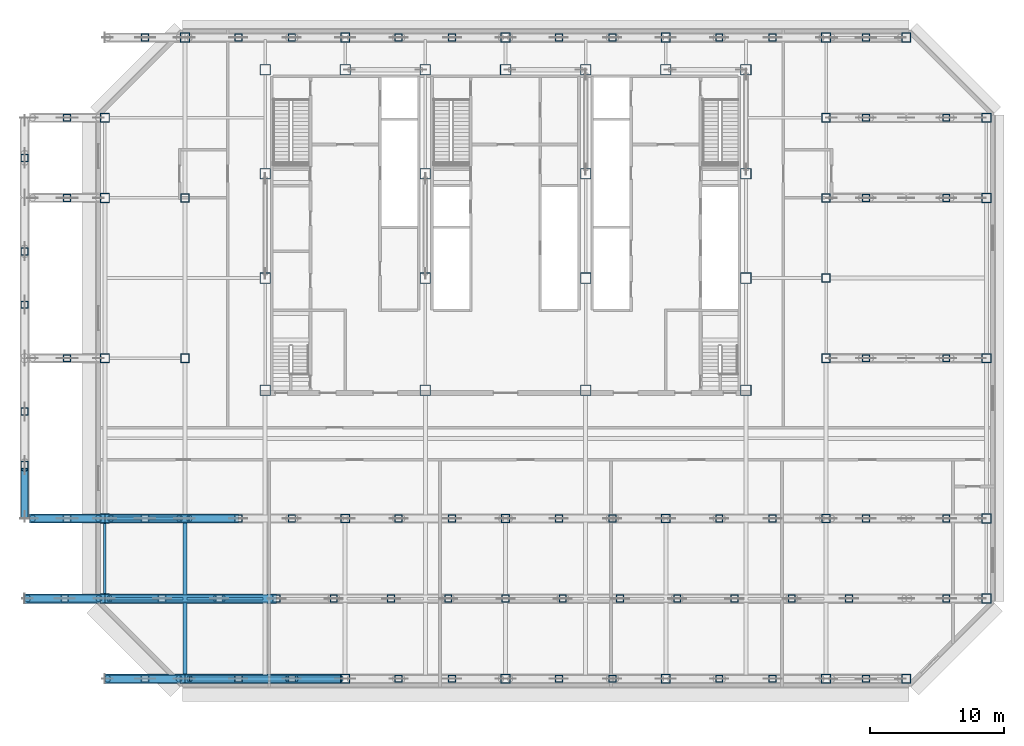
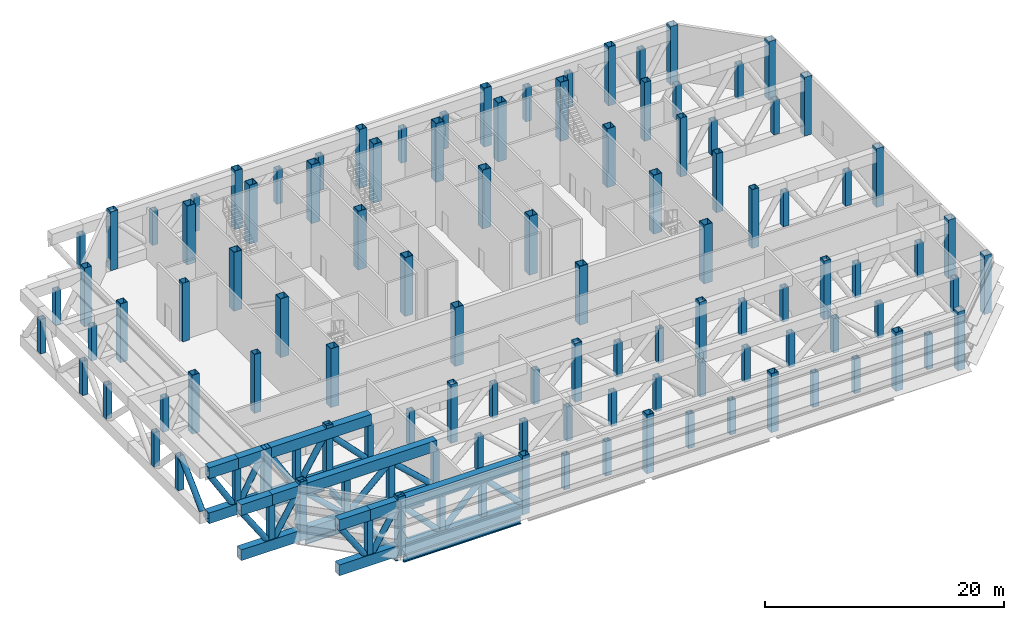
# One storey, part 1 of 17: 113 columns, 21 beams, 16 members.
"""IFC4 building model written with IfcOpenShell, lengths in metres."""

import ifcopenshell
import ifcopenshell.guid

model = None  # the IFC model being written
_history = None  # IfcOwnerHistory: only IFC2X3 demands one
_inside = {}  # id of a spatial element -> (the spatial element, [elements in it])
_under = {}  # id of a project, library or spatial element -> (it, [spatial elements below it])
_declared = {}  # id of a project -> (the project, [libraries it declares])
_typed = {}  # id of a type object -> (the type object, [elements of that type])
_made_of = {}  # id of a material, layer set ... -> (it, [elements and type objects made of it])


def new_model(schema):
    """Start an empty IFC model of exactly this schema.

    Asked for "IFC4X3", IfcOpenShell would pick the latest addendum, in which some entities
    have other attributes; the version numbers below select the first issue.
    IFC2X3 requires an IfcOwnerHistory on every rooted entity: one is made here for all.
    """
    global model, _history
    if schema == "IFC4X3":
        model = ifcopenshell.file(schema_version=(4, 3, 0, 0))
    else:
        model = ifcopenshell.file(schema=schema)
    _inside.clear()
    _under.clear()
    _declared.clear()
    _typed.clear()
    _made_of.clear()
    _history = None
    if model.schema == "IFC2X3":
        org = make("IfcOrganization", Name="unknown")
        user = make(
            "IfcPersonAndOrganization",
            ThePerson=make("IfcPerson", FamilyName="unknown"),
            TheOrganization=org,
        )
        app = make(
            "IfcApplication",
            ApplicationDeveloper=org,
            Version="unknown",
            ApplicationFullName="unknown",
            ApplicationIdentifier="unknown",
        )
        _history = make(
            "IfcOwnerHistory",
            OwningUser=user,
            OwningApplication=app,
            ChangeAction="ADDED",
            CreationDate=0,
        )
    return model


def make(cls, **values):
    """One entity of the class cls with the attributes given. An attribute that is None is left unset."""
    return model.create_entity(
        cls, **{name: value for name, value in values.items() if value is not None}
    )


def rooted(cls, **values):
    """An entity with a GlobalId (a new one), such as an element, a storey or a relation."""
    return make(cls, GlobalId=ifcopenshell.guid.new(), OwnerHistory=_history, **values)


def si_unit(unit_type, name, prefix=None):
    """IfcSIUnit, for example si_unit("LENGTHUNIT", "METRE", prefix="MILLI")."""
    return make("IfcSIUnit", UnitType=unit_type, Prefix=prefix, Name=name)


def assignment(units):
    """IfcUnitAssignment: the units of a project."""
    return None if units is None else make("IfcUnitAssignment", Units=units)


def point(xyz):
    """IfcCartesianPoint."""
    return None if xyz is None else make("IfcCartesianPoint", Coordinates=xyz)


def direction(xyz):
    """IfcDirection."""
    return None if xyz is None else make("IfcDirection", DirectionRatios=xyz)


def frame(location, z_axis=None, x_axis=None):
    """IfcAxis2Placement3D, a coordinate frame: its origin and axes. An axis left out is left unset."""
    return make(
        "IfcAxis2Placement3D",
        Location=point(location),
        Axis=direction(z_axis),
        RefDirection=direction(x_axis),
    )


def frame_2d(location, x_axis=None):
    """IfcAxis2Placement2D, a coordinate frame in the plane: its origin and x axis."""
    return make(
        "IfcAxis2Placement2D", Location=point(location), RefDirection=direction(x_axis)
    )


def origin():
    """The frame at (0, 0, 0) with its axes left unset."""
    return frame((0.0, 0.0, 0.0))


def origin_2d():
    """The frame at (0, 0) in the plane with its x axis left unset."""
    return frame_2d((0.0, 0.0))


def place(relative_to, where):
    """IfcLocalPlacement: puts the frame where relative to a parent placement (None: the world)."""
    return make(
        "IfcLocalPlacement", PlacementRelTo=relative_to, RelativePlacement=where
    )


def context(
    kind, dimensions, precision=None, world=None, true_north=None, identifier=None
):
    """IfcGeometricRepresentationContext, for example the 3D "Model" context."""
    return make(
        "IfcGeometricRepresentationContext",
        ContextIdentifier=identifier,
        ContextType=kind,
        CoordinateSpaceDimension=dimensions,
        Precision=precision,
        WorldCoordinateSystem=world,
        TrueNorth=true_north,
    )


def subcontext(parent, identifier, kind, view, scale=None):
    """IfcGeometricRepresentationSubContext, for example "Body" below "Model"."""
    return make(
        "IfcGeometricRepresentationSubContext",
        ContextIdentifier=identifier,
        ContextType=kind,
        ParentContext=parent,
        TargetScale=scale,
        TargetView=view,
    )


def project(units=None, contexts=None):
    """IfcProject with its units and contexts."""
    return rooted(
        "IfcProject",
        Name="project",
        RepresentationContexts=contexts,
        UnitsInContext=assignment(units),
    )


def spatial(cls, under=None, at=None, **own):
    """A site, building, storey or space (cls), placed at a placement, below another one or the project."""
    s = rooted(cls, ObjectPlacement=at, **own)
    if under is not None:
        _under.setdefault(under.id(), (under, []))[1].append(s)
    return s


def profile(cls, at=None, kind="AREA", **sizes):
    """A parametric profile (cls). Its sizes go by their IFC names, for example OverallWidth=200.0."""
    return make(cls, ProfileType=kind, Position=at, **sizes)


def hollow_rectangle(**sizes):
    """IfcRectangleHollowProfileDef."""
    return profile("IfcRectangleHollowProfileDef", **sizes)


def hollow_circle(**sizes):
    """IfcCircleHollowProfileDef."""
    return profile("IfcCircleHollowProfileDef", **sizes)


def i_section(**sizes):
    """IfcIShapeProfileDef."""
    return profile("IfcIShapeProfileDef", **sizes)


def extrude(swept, where, along, depth):
    """IfcExtrudedAreaSolid: the profile swept, set in the frame where, extruded along a direction by depth."""
    return make(
        "IfcExtrudedAreaSolid",
        SweptArea=swept,
        Position=where,
        ExtrudedDirection=direction(along),
        Depth=depth,
    )


def shape(context_of_items, identifier, shape_type, items):
    """IfcShapeRepresentation: the items that make up one representation, for example the "Body"."""
    return make(
        "IfcShapeRepresentation",
        ContextOfItems=context_of_items,
        RepresentationIdentifier=identifier,
        RepresentationType=shape_type,
        Items=items,
    )


def material(Name=None, Category=None):
    """IfcMaterial."""
    return make("IfcMaterial", Name=Name, Category=Category)


def material_profile(
    of_material, cross_section, Name=None, Category=None, Priority=None
):
    """IfcMaterialProfile: a cross section and its material."""
    return make(
        "IfcMaterialProfile",
        Name=Name,
        Material=of_material,
        Profile=cross_section,
        Priority=Priority,
        Category=Category,
    )


def profile_set(profiles, Name=None, composite=None):
    """IfcMaterialProfileSet."""
    return make(
        "IfcMaterialProfileSet",
        Name=Name,
        MaterialProfiles=profiles,
        CompositeProfile=composite,
    )


def made_of(thing, what):
    """Note that an element or type object is made of a material, layer set ...; save() writes the relation."""
    if what is not None:
        _made_of.setdefault(what.id(), (what, []))[1].append(thing)
    return thing


def type_object(cls, material=None, **own):
    """A type object (cls), such as IfcWallType, which elements share."""
    return made_of(rooted(cls, **own), material)


def element(
    cls,
    number,
    at=None,
    inside=None,
    cuts=None,
    type_object=None,
    material=None,
    context=None,
    identifier="Body",
    shape_type=None,
    held_by="IfcProductDefinitionShape",
    body=None,
    shapes=None,
    **own,
):
    """One element of the class cls, such as IfcWall. Its Tag is "e" and its number.

    at: its placement. inside: the storey or other place that contains it. cuts: it is an
    opening in that element (IfcRelVoidsElement). A single representation is given by context,
    identifier, shape_type and body (its items); several are given by shapes. held_by: the class
    of the entity that holds the representations. save() writes the other relations.
    """
    e = rooted(cls, Tag="e%d" % number, ObjectPlacement=at, **own)
    if body is not None:
        shapes = [shape(context, identifier, shape_type, body)]
    if shapes is not None:
        e.Representation = make(held_by, Representations=shapes)
    if inside is not None:
        _inside.setdefault(inside.id(), (inside, []))[1].append(e)
    if cuts is not None:
        rooted(
            "IfcRelVoidsElement", RelatingBuildingElement=cuts, RelatedOpeningElement=e
        )
    if type_object is not None:
        _typed.setdefault(type_object.id(), (type_object, []))[1].append(e)
    return made_of(e, material)


def aggregate(whole, parts):
    """IfcRelAggregates: a whole, such as a stair, and the parts it consists of."""
    return rooted("IfcRelAggregates", RelatingObject=whole, RelatedObjects=parts)


def save(model, path):
    """Write the relations noted so far, then the file.

    IfcRelAggregates (storeys below a building ...), IfcRelContainedInSpatialStructure (elements
    in a storey), IfcRelDefinesByType, IfcRelAssociatesMaterial and IfcRelDeclares: one each for
    every whole, place, type object, material and project.
    """
    for whole, parts in _under.values():
        aggregate(whole, parts)
    for where, things in _inside.values():
        rooted(
            "IfcRelContainedInSpatialStructure",
            RelatedElements=things,
            RelatingStructure=where,
        )
    for kind, things in _typed.values():
        rooted("IfcRelDefinesByType", RelatedObjects=things, RelatingType=kind)
    for what, things in _made_of.values():
        rooted("IfcRelAssociatesMaterial", RelatedObjects=things, RelatingMaterial=what)
    for by, libraries in _declared.values():
        rooted("IfcRelDeclares", RelatingContext=by, RelatedDefinitions=libraries)
    model.write(path)


model = new_model("IFC4")

# Units and contexts
model_context = context("Model", 3, precision=1e-05, world=origin(), true_north=direction((0.0, 1.0)))
body_context = subcontext(model_context, "Body", "Model", "MODEL_VIEW")
ifc_project = project(units=[si_unit("LENGTHUNIT", "METRE"), si_unit("AREAUNIT", "SQUARE_METRE"), si_unit("VOLUMEUNIT", "CUBIC_METRE"), si_unit("PLANEANGLEUNIT", "RADIAN"), si_unit("MASSUNIT", "GRAM", prefix="KILO")], contexts=[model_context])

# Site, building, storey
site_placement = place(None, origin())
site = spatial("IfcSite", under=ifc_project, at=site_placement, CompositionType="ELEMENT")
building_placement = place(site_placement, origin())
building = spatial("IfcBuilding", under=site, at=building_placement, Name="Sorahane Residences", CompositionType="ELEMENT")
storey_placement = place(building_placement, frame((0.0, 0.0, 186.0)))
storey = spatial("IfcBuildingStorey", under=building, at=storey_placement, Name="L43", CompositionType="ELEMENT", Elevation=186.0)

# Columns
ifc_material_1 = material(Name="Steel Q355B", Category="steel")
ifc_material_profile_1 = material_profile(ifc_material_1, hollow_rectangle(XDim=0.64990234375, YDim=0.64990234375, WallThickness=0.031982421875, at=origin_2d()), Name="BOX 650x650x32")
ifc_profile_set_1 = profile_set([ifc_material_profile_1], Name="Steel Q355B")
column_type_1 = type_object("IfcColumnType", Name="Steel box column BOX 650x650x32 Q355B", PredefinedType="COLUMN", material=ifc_profile_set_1)
for number, where, z_axis, x_axis, name in (
    (1, (0.0, 12.0, 0.0), (0.0, 0.0, 1.0), (1.0, 0.0, 0.0), "Column L43 0/12"),
    (2, (0.0, 24.0, 0.0), (0.0, 0.0, 1.0), (1.0, 0.0, 0.0), "Column L43 0/24"),
    (3, (0.0, 36.0, 0.0), (0.0, 0.0, 1.0), (1.0, 0.0, 0.0), "Column L43 0/36"),
    (4, (12.0, 12.0, 0.0), (0.0, 0.0, 1.0), (1.0, 0.0, 0.0), "Column L43 12/12"),
    (5, (24.0, 12.0, 0.0), (0.0, 0.0, 1.0), (1.0, 0.0, 0.0), "Column L43 24/12"),
    (6, (36.0, 12.0, 0.0), (0.0, 0.0, 1.0), (1.0, 0.0, 0.0), "Column L43 36/12"),
    (7, (48.0, 12.0, 0.0), (0.0, 0.0, 1.0), (1.0, 0.0, 0.0), "Column L43 48/12"),
    (8, (48.0, 24.0, 0.0), (0.0, 0.0, 1.0), (1.0, 0.0, 0.0), "Column L43 48/24"),
    (9, (48.0, 30.0, 0.0), (0.0, 0.0, 1.0), (1.0, 0.0, 0.0), "Column L43 48/30"),
    (10, (48.0, 36.0, 0.0), (0.0, 0.0, 1.0), (1.0, 0.0, 0.0), "Column L43 48/36"),
    (11, (48.0, 42.0, 0.0), (0.0, 0.0, 1.0), (1.0, 0.0, 0.0), "Column L43 48/42"),
):
    element("IfcColumn", number, at=place(storey_placement, frame(where, z_axis=z_axis, x_axis=x_axis)), inside=storey, type_object=column_type_1, Name=name, PredefinedType="COLUMN", context=body_context, shape_type="SweptSolid", body=[
        extrude(hollow_rectangle(XDim=0.64990234375, YDim=0.64990234375, WallThickness=0.031982421875, at=origin_2d()), origin(), (0.0, 0.0, 1.0), 6.0),
    ])
ifc_material_2 = material(Name="Steel Q355B", Category="steel")
ifc_material_profile_2 = material_profile(ifc_material_2, hollow_rectangle(XDim=0.699951171875, YDim=0.699951171875, WallThickness=0.035888671875, at=origin_2d()), Name="BOX 700x700x36")
ifc_profile_set_2 = profile_set([ifc_material_profile_2], Name="Steel Q355B")
column_type_2 = type_object("IfcColumnType", Name="Steel box column BOX 700x700x36 Q355B", PredefinedType="COLUMN", material=ifc_profile_set_2)
column_1_placement = place(storey_placement, frame((-6.0, 6.0, 0.0), z_axis=(0.0, 0.0, 1.0), x_axis=(1.0, 0.0, 0.0)))
element("IfcColumn", 12, at=column_1_placement, inside=storey, type_object=column_type_2, Name="Column L43 m6/6", PredefinedType="COLUMN", context=body_context, shape_type="SweptSolid", body=[
    extrude(hollow_rectangle(XDim=0.699951171875, YDim=0.699951171875, WallThickness=0.035888671875, at=origin_2d()), origin(), (0.0, 0.0, 1.0), 6.0),
])
column_2_placement = place(storey_placement, frame((-6.0, 12.0, 0.0), z_axis=(0.0, 0.0, 1.0), x_axis=(1.0, 0.0, 0.0)))
element("IfcColumn", 13, at=column_2_placement, inside=storey, type_object=column_type_2, Name="Column L43 m6/12", PredefinedType="COLUMN", context=body_context, shape_type="SweptSolid", body=[
    extrude(hollow_rectangle(XDim=0.699951171875, YDim=0.699951171875, WallThickness=0.035888671875, at=origin_2d()), origin(), (0.0, 0.0, 1.0), 5.699951171875),
])
for number, where, z_axis, x_axis, name in (
    (14, (-6.0, 24.0, 0.0), (0.0, 0.0, 1.0), (1.0, 0.0, 0.0), "Column L43 m6/24"),
    (15, (-6.0, 36.0, 0.0), (0.0, 0.0, 1.0), (1.0, 0.0, 0.0), "Column L43 m6/36"),
    (16, (-6.0, 42.0, 0.0), (0.0, 0.0, 1.0), (1.0, 0.0, 0.0), "Column L43 m6/42"),
    (17, (0.0, 0.0, 0.0), (0.0, 0.0, 1.0), (1.0, 0.0, 0.0), "Column L43 0/0"),
    (18, (0.0, 48.0, 0.0), (0.0, 0.0, 1.0), (1.0, 0.0, 0.0), "Column L43 0/48"),
    (19, (12.0, 0.0, 0.0), (0.0, 0.0, 1.0), (1.0, 0.0, 0.0), "Column L43 12/0"),
    (20, (12.0, 48.0, 0.0), (0.0, 0.0, 1.0), (1.0, 0.0, 0.0), "Column L43 12/48"),
    (21, (24.0, 0.0, 0.0), (0.0, 0.0, 1.0), (1.0, 0.0, 0.0), "Column L43 24/0"),
    (22, (24.0, 48.0, 0.0), (0.0, 0.0, 1.0), (1.0, 0.0, 0.0), "Column L43 24/48"),
    (23, (36.0, 0.0, 0.0), (0.0, 0.0, 1.0), (1.0, 0.0, 0.0), "Column L43 36/0"),
    (24, (36.0, 48.0, 0.0), (0.0, 0.0, 1.0), (1.0, 0.0, 0.0), "Column L43 36/48"),
    (25, (48.0, 0.0, 0.0), (0.0, 0.0, 1.0), (1.0, 0.0, 0.0), "Column L43 48/0"),
    (26, (48.0, 48.0, 0.0), (0.0, 0.0, 1.0), (1.0, 0.0, 0.0), "Column L43 48/48"),
    (27, (54.0, 0.0, 0.0), (0.0, 0.0, 1.0), (1.0, 0.0, 0.0), "Column L43 54/0"),
    (28, (54.0, 48.0, 0.0), (0.0, 0.0, 1.0), (1.0, 0.0, 0.0), "Column L43 54/48"),
    (29, (60.0, 6.0, 0.0), (0.0, 0.0, 1.0), (1.0, 0.0, 0.0), "Column L43 60/6"),
    (30, (60.0, 12.0, 0.0), (0.0, 0.0, 1.0), (1.0, 0.0, 0.0), "Column L43 60/12"),
    (31, (60.0, 24.0, 0.0), (0.0, 0.0, 1.0), (1.0, 0.0, 0.0), "Column L43 60/24"),
    (32, (60.0, 36.0, 0.0), (0.0, 0.0, 1.0), (1.0, 0.0, 0.0), "Column L43 60/36"),
    (33, (60.0, 42.0, 0.0), (0.0, 0.0, 1.0), (1.0, 0.0, 0.0), "Column L43 60/42"),
):
    element("IfcColumn", number, at=place(storey_placement, frame(where, z_axis=z_axis, x_axis=x_axis)), inside=storey, type_object=column_type_2, Name=name, PredefinedType="COLUMN", context=body_context, shape_type="SweptSolid", body=[
        extrude(hollow_rectangle(XDim=0.699951171875, YDim=0.699951171875, WallThickness=0.035888671875, at=origin_2d()), origin(), (0.0, 0.0, 1.0), 6.0),
    ])
ifc_material_3 = material(Name="Steel Q420GJ", Category="steel")
ifc_material_profile_3 = material_profile(ifc_material_3, hollow_rectangle(XDim=0.800048828125, YDim=0.800048828125, WallThickness=0.044921875, at=origin_2d()), Name="BOX 800x800x45")
ifc_profile_set_3 = profile_set([ifc_material_profile_3], Name="Steel Q420GJ")
column_type_3 = type_object("IfcColumnType", Name="Steel box column BOX 800x800x45 Q420GJ", PredefinedType="COLUMN", material=ifc_profile_set_3)
for number, where, z_axis, x_axis, name in (
    (34, (6.0, 21.60009765625, 0.0), (0.0, 0.0, 1.0), (1.0, 0.0, 0.0), "Column L43 6/21.6"),
    (35, (6.0, 30.0, 0.0), (0.0, 0.0, 1.0), (1.0, 0.0, 0.0), "Column L43 6/30"),
    (36, (6.0, 37.800048828125, 0.0), (0.0, 0.0, 1.0), (1.0, 0.0, 0.0), "Column L43 6/37.8"),
    (37, (6.0, 45.60009765625, 0.0), (0.0, 0.0, 1.0), (1.0, 0.0, 0.0), "Column L43 6/45.6"),
    (38, (12.0, 45.60009765625, 0.0), (0.0, 0.0, 1.0), (1.0, 0.0, 0.0), "Column L43 12/45.6"),
    (39, (18.0, 21.60009765625, 0.0), (0.0, 0.0, 1.0), (1.0, 0.0, 0.0), "Column L43 18/21.6"),
    (40, (18.0, 30.0, 0.0), (0.0, 0.0, 1.0), (1.0, 0.0, 0.0), "Column L43 18/30"),
    (41, (18.0, 37.800048828125, 0.0), (0.0, 0.0, 1.0), (1.0, 0.0, 0.0), "Column L43 18/37.8"),
    (42, (18.0, 45.60009765625, 0.0), (0.0, 0.0, 1.0), (1.0, 0.0, 0.0), "Column L43 18/45.6"),
    (43, (24.0, 45.60009765625, 0.0), (0.0, 0.0, 1.0), (1.0, 0.0, 0.0), "Column L43 24/45.6"),
    (44, (30.0, 21.60009765625, 0.0), (0.0, 0.0, 1.0), (1.0, 0.0, 0.0), "Column L43 30/21.6"),
    (45, (30.0, 30.0, 0.0), (0.0, 0.0, 1.0), (1.0, 0.0, 0.0), "Column L43 30/30"),
    (46, (30.0, 37.800048828125, 0.0), (0.0, 0.0, 1.0), (1.0, 0.0, 0.0), "Column L43 30/37.8"),
    (47, (30.0, 45.60009765625, 0.0), (0.0, 0.0, 1.0), (1.0, 0.0, 0.0), "Column L43 30/45.6"),
    (48, (36.0, 45.60009765625, 0.0), (0.0, 0.0, 1.0), (1.0, 0.0, 0.0), "Column L43 36/45.6"),
    (49, (42.0, 21.60009765625, 0.0), (0.0, 0.0, 1.0), (1.0, 0.0, 0.0), "Column L43 42/21.6"),
    (50, (42.0, 30.0, 0.0), (0.0, 0.0, 1.0), (1.0, 0.0, 0.0), "Column L43 42/30"),
    (51, (42.0, 37.800048828125, 0.0), (0.0, 0.0, 1.0), (1.0, 0.0, 0.0), "Column L43 42/37.8"),
    (52, (42.0, 45.60009765625, 0.0), (0.0, 0.0, 1.0), (1.0, 0.0, 0.0), "Column L43 42/45.6"),
):
    element("IfcColumn", number, at=place(storey_placement, frame(where, z_axis=z_axis, x_axis=x_axis)), inside=storey, type_object=column_type_3, Name=name, PredefinedType="COLUMN", context=body_context, shape_type="SweptSolid", body=[
        extrude(hollow_rectangle(XDim=0.800048828125, YDim=0.800048828125, WallThickness=0.044921875, at=origin_2d()), origin(), (0.0, 0.0, 1.0), 6.0),
    ])
ifc_material_4 = material(Name="Steel Q420GJ", Category="steel")
ifc_material_profile_4 = material_profile(ifc_material_4, hollow_rectangle(XDim=0.550048828125, YDim=0.550048828125, WallThickness=0.035888671875, at=origin_2d()), Name="BOX 550x550x36")
ifc_profile_set_4 = profile_set([ifc_material_profile_4], Name="Steel Q420GJ")
column_type_4 = type_object("IfcColumnType", Name="Truss post BOX 550x550x36 Q420GJ", PredefinedType="COLUMN", material=ifc_profile_set_4)
for number, where, z_axis, x_axis, name in (
    (53, (-3.0, 0.0, 1.10009765625), (0.0, 0.0, 1.0), (1.0, 0.0, 0.0), "Truss post L43"),
    (54, (4.0, 0.0, 1.10009765625), (0.0, 0.0, 1.0), (1.0, 0.0, 0.0), "Truss post L43"),
    (55, (8.0, 0.0, 1.10009765625), (0.0, 0.0, 1.0), (1.0, 0.0, 0.0), "Truss post L43"),
    (56, (16.0, 0.0, 1.10009765625), (0.0, 0.0, 1.0), (1.0, 0.0, 0.0), "Truss post L43"),
    (57, (20.0, 0.0, 1.10009765625), (0.0, 0.0, 1.0), (1.0, 0.0, 0.0), "Truss post L43"),
    (58, (28.0, 0.0, 1.10009765625), (0.0, 0.0, 1.0), (1.0, 0.0, 0.0), "Truss post L43"),
    (59, (32.0, 0.0, 1.10009765625), (0.0, 0.0, 1.0), (1.0, 0.0, 0.0), "Truss post L43"),
    (60, (40.0, 0.0, 1.10009765625), (0.0, 0.0, 1.0), (1.0, 0.0, 0.0), "Truss post L43"),
    (61, (44.0, 0.0, 1.10009765625), (0.0, 0.0, 1.0), (1.0, 0.0, 0.0), "Truss post L43"),
    (62, (51.0, 0.0, 1.10009765625), (0.0, 0.0, 1.0), (1.0, 0.0, 0.0), "Truss post L43"),
    (63, (-9.0, 6.0, 1.10009765625), (0.0, 0.0, 1.0), (1.0, 0.0, 0.0), "Truss post L43"),
    (64, (-1.71435546875, 6.0, 1.10009765625), (0.0, 0.0, 1.0), (1.0, 0.0, 0.0), "Truss post L43"),
    (65, (2.571533203125, 6.0, 1.10009765625), (0.0, 0.0, 1.0), (1.0, 0.0, 0.0), "Truss post L43"),
    (66, (6.857177734375, 6.0, 1.10009765625), (0.0, 0.0, 1.0), (1.0, 0.0, 0.0), "Truss post L43"),
    (67, (11.142822265625, 6.0, 1.10009765625), (0.0, 0.0, 1.0), (1.0, 0.0, 0.0), "Truss post L43"),
    (68, (15.428466796875, 6.0, 1.10009765625), (0.0, 0.0, 1.0), (1.0, 0.0, 0.0), "Truss post L43"),
    (69, (19.71435546875, 6.0, 1.10009765625), (0.0, 0.0, 1.0), (1.0, 0.0, 0.0), "Truss post L43"),
    (70, (24.0, 6.0, 1.10009765625), (0.0, 0.0, 1.0), (1.0, 0.0, 0.0), "Truss post L43"),
    (71, (28.28564453125, 6.0, 1.10009765625), (0.0, 0.0, 1.0), (1.0, 0.0, 0.0), "Truss post L43"),
    (72, (32.571533203125, 6.0, 1.10009765625), (0.0, 0.0, 1.0), (1.0, 0.0, 0.0), "Truss post L43"),
    (73, (36.857177734375, 6.0, 1.10009765625), (0.0, 0.0, 1.0), (1.0, 0.0, 0.0), "Truss post L43"),
    (74, (41.142822265625, 6.0, 1.10009765625), (0.0, 0.0, 1.0), (1.0, 0.0, 0.0), "Truss post L43"),
    (75, (45.428466796875, 6.0, 1.10009765625), (0.0, 0.0, 1.0), (1.0, 0.0, 0.0), "Truss post L43"),
    (76, (49.71435546875, 6.0, 1.10009765625), (0.0, 0.0, 1.0), (1.0, 0.0, 0.0), "Truss post L43"),
    (77, (57.0, 6.0, 1.10009765625), (0.0, 0.0, 1.0), (1.0, 0.0, 0.0), "Truss post L43"),
    (78, (-8.824951171875, 12.0, 1.10009765625), (0.0, 0.0, 1.0), (1.0, 0.0, 0.0), "Truss post L43"),
    (79, (-3.0, 12.0, 1.10009765625), (0.0, 0.0, 1.0), (1.0, 0.0, 0.0), "Truss post L43"),
    (80, (4.0, 12.0, 1.10009765625), (0.0, 0.0, 1.0), (1.0, 0.0, 0.0), "Truss post L43"),
    (81, (8.0, 12.0, 1.10009765625), (0.0, 0.0, 1.0), (1.0, 0.0, 0.0), "Truss post L43"),
    (82, (16.0, 12.0, 1.10009765625), (0.0, 0.0, 1.0), (1.0, 0.0, 0.0), "Truss post L43"),
    (83, (20.0, 12.0, 1.10009765625), (0.0, 0.0, 1.0), (1.0, 0.0, 0.0), "Truss post L43"),
    (84, (28.0, 12.0, 1.10009765625), (0.0, 0.0, 1.0), (1.0, 0.0, 0.0), "Truss post L43"),
    (85, (32.0, 12.0, 1.10009765625), (0.0, 0.0, 1.0), (1.0, 0.0, 0.0), "Truss post L43"),
    (86, (40.0, 12.0, 1.10009765625), (0.0, 0.0, 1.0), (1.0, 0.0, 0.0), "Truss post L43"),
    (87, (44.0, 12.0, 1.10009765625), (0.0, 0.0, 1.0), (1.0, 0.0, 0.0), "Truss post L43"),
    (88, (51.0, 12.0, 1.10009765625), (0.0, 0.0, 1.0), (1.0, 0.0, 0.0), "Truss post L43"),
    (89, (57.0, 12.0, 1.10009765625), (0.0, 0.0, 1.0), (1.0, 0.0, 0.0), "Truss post L43"),
    (90, (-8.824951171875, 24.0, 1.10009765625), (0.0, 0.0, 1.0), (1.0, 0.0, 0.0), "Truss post L43"),
    (91, (51.0, 24.0, 1.10009765625), (0.0, 0.0, 1.0), (1.0, 0.0, 0.0), "Truss post L43"),
    (92, (57.0, 24.0, 1.10009765625), (0.0, 0.0, 1.0), (1.0, 0.0, 0.0), "Truss post L43"),
    (93, (-8.824951171875, 36.0, 1.10009765625), (0.0, 0.0, 1.0), (1.0, 0.0, 0.0), "Truss post L43"),
    (94, (51.0, 36.0, 1.10009765625), (0.0, 0.0, 1.0), (1.0, 0.0, 0.0), "Truss post L43"),
    (95, (57.0, 36.0, 1.10009765625), (0.0, 0.0, 1.0), (1.0, 0.0, 0.0), "Truss post L43"),
    (96, (-8.824951171875, 42.0, 1.10009765625), (0.0, 0.0, 1.0), (1.0, 0.0, 0.0), "Truss post L43"),
    (97, (51.0, 42.0, 1.10009765625), (0.0, 0.0, 1.0), (1.0, 0.0, 0.0), "Truss post L43"),
    (98, (57.0, 42.0, 1.10009765625), (0.0, 0.0, 1.0), (1.0, 0.0, 0.0), "Truss post L43"),
    (99, (-3.0, 48.0, 1.10009765625), (0.0, 0.0, 1.0), (1.0, 0.0, 0.0), "Truss post L43"),
    (100, (4.0, 48.0, 1.10009765625), (0.0, 0.0, 1.0), (1.0, 0.0, 0.0), "Truss post L43"),
    (101, (8.0, 48.0, 1.10009765625), (0.0, 0.0, 1.0), (1.0, 0.0, 0.0), "Truss post L43"),
    (102, (16.0, 48.0, 1.10009765625), (0.0, 0.0, 1.0), (1.0, 0.0, 0.0), "Truss post L43"),
    (103, (20.0, 48.0, 1.10009765625), (0.0, 0.0, 1.0), (1.0, 0.0, 0.0), "Truss post L43"),
    (104, (28.0, 48.0, 1.10009765625), (0.0, 0.0, 1.0), (1.0, 0.0, 0.0), "Truss post L43"),
    (105, (32.0, 48.0, 1.10009765625), (0.0, 0.0, 1.0), (1.0, 0.0, 0.0), "Truss post L43"),
    (106, (40.0, 48.0, 1.10009765625), (0.0, 0.0, 1.0), (1.0, 0.0, 0.0), "Truss post L43"),
    (107, (44.0, 48.0, 1.10009765625), (0.0, 0.0, 1.0), (1.0, 0.0, 0.0), "Truss post L43"),
    (108, (51.0, 48.0, 1.10009765625), (0.0, 0.0, 1.0), (1.0, 0.0, 0.0), "Truss post L43"),
    (109, (-12.0, 16.0, 1.10009765625), (0.0, 0.0, 1.0), (1.0, 0.0, 0.0), "Truss post L43"),
    (110, (-12.0, 20.0, 1.10009765625), (0.0, 0.0, 1.0), (1.0, 0.0, 0.0), "Truss post L43"),
    (111, (-12.0, 28.0, 1.10009765625), (0.0, 0.0, 1.0), (1.0, 0.0, 0.0), "Truss post L43"),
    (112, (-12.0, 32.0, 1.10009765625), (0.0, 0.0, 1.0), (1.0, 0.0, 0.0), "Truss post L43"),
    (113, (-12.0, 39.0, 1.10009765625), (0.0, 0.0, 1.0), (1.0, 0.0, 0.0), "Truss post L43"),
):
    element("IfcColumn", number, at=place(storey_placement, frame(where, z_axis=z_axis, x_axis=x_axis)), inside=storey, type_object=column_type_4, Name=name, PredefinedType="COLUMN", context=body_context, shape_type="SweptSolid", body=[
        extrude(hollow_rectangle(XDim=0.550048828125, YDim=0.550048828125, WallThickness=0.035888671875, at=origin_2d()), origin(), (0.0, 0.0, 1.0), 3.5),
    ])

# Beams
ifc_material_5 = material(Name="Steel Q355B", Category="steel")
ifc_material_profile_5 = material_profile(ifc_material_5, i_section(OverallWidth=0.199951171875, OverallDepth=0.449951171875, WebThickness=0.009033203125, FlangeThickness=0.013916015625, FilletRadius=0.02001953125, at=origin_2d()), Name="HN 450x200x9x14")
ifc_profile_set_5 = profile_set([ifc_material_profile_5], Name="Steel Q355B")
beam_type_1 = type_object("IfcBeamType", Name="Steel floor beam HN 450x200x9x14 Q355B", PredefinedType="BEAM", material=ifc_profile_set_5)
beam_1_placement = place(storey_placement, frame((-5.64990234375, 12.0, -0.52490234375), z_axis=(1.0, 0.0, 0.0), x_axis=(0.0, 1.0, 0.0)))
element("IfcBeam", 114, at=beam_1_placement, inside=storey, type_object=beam_type_1, Name="Beam L43 005", PredefinedType="BEAM", context=body_context, shape_type="SweptSolid", body=[
    extrude(i_section(OverallWidth=0.199951171875, OverallDepth=0.449951171875, WebThickness=0.009033203125, FlangeThickness=0.013916015625, FilletRadius=0.02001953125, at=origin_2d()), origin(), (0.0, 0.0, 1.0), 5.324951171875),
])
beam_2_placement = place(storey_placement, frame((-6.0, 6.35009765625, -0.52490234375), z_axis=(0.0, 1.0, 0.0), x_axis=(-1.0, 0.0, 0.0)))
element("IfcBeam", 115, at=beam_2_placement, inside=storey, type_object=beam_type_1, Name="Beam L43 020", PredefinedType="BEAM", context=body_context, shape_type="SweptSolid", body=[
    extrude(i_section(OverallWidth=0.199951171875, OverallDepth=0.449951171875, WebThickness=0.009033203125, FlangeThickness=0.013916015625, FilletRadius=0.02001953125, at=origin_2d()), origin(), (0.0, 0.0, 1.0), 5.2998046875),
])
beam_3_placement = place(storey_placement, frame((-5.64990234375, 6.0, -0.52490234375), z_axis=(1.0, 0.0, 0.0), x_axis=(0.0, 1.0, 0.0)))
element("IfcBeam", 116, at=beam_3_placement, inside=storey, type_object=beam_type_1, Name="Beam L43 068", PredefinedType="BEAM", context=body_context, shape_type="SweptSolid", body=[
    extrude(i_section(OverallWidth=0.199951171875, OverallDepth=0.449951171875, WebThickness=0.009033203125, FlangeThickness=0.013916015625, FilletRadius=0.02001953125, at=origin_2d()), origin(), (0.0, 0.0, 1.0), 5.5),
])
beam_4_placement = place(storey_placement, frame((0.14990234375, 6.0, -0.52490234375), z_axis=(1.0, 0.0, 0.0), x_axis=(0.0, 1.0, 0.0)))
element("IfcBeam", 117, at=beam_4_placement, inside=storey, type_object=beam_type_1, Name="Beam L43 069", PredefinedType="BEAM", context=body_context, shape_type="SweptSolid", body=[
    extrude(i_section(OverallWidth=0.199951171875, OverallDepth=0.449951171875, WebThickness=0.009033203125, FlangeThickness=0.013916015625, FilletRadius=0.02001953125, at=origin_2d()), origin(), (0.0, 0.0, 1.0), 5.7001953125),
])
ifc_material_6 = material(Name="Steel Q355B", Category="steel")
ifc_material_profile_6 = material_profile(ifc_material_6, i_section(OverallWidth=0.300048828125, OverallDepth=0.699951171875, WebThickness=0.012939453125, FlangeThickness=0.02392578125, FilletRadius=0.028076171875, at=origin_2d()), Name="HN 700x300x13x24")
ifc_profile_set_6 = profile_set([ifc_material_profile_6], Name="Steel Q355B")
beam_type_2 = type_object("IfcBeamType", Name="Steel floor beam HN 700x300x13x24 Q355B", PredefinedType="BEAM", material=ifc_profile_set_6)
beam_5_placement = place(storey_placement, frame((0.35009765625, 0.0, -0.64990234375), z_axis=(1.0, 0.0, 0.0), x_axis=(0.0, 1.0, 0.0)))
element("IfcBeam", 118, at=beam_5_placement, inside=storey, type_object=beam_type_2, Name="Beam L43 000", PredefinedType="BEAM", context=body_context, shape_type="SweptSolid", body=[
    extrude(i_section(OverallWidth=0.300048828125, OverallDepth=0.699951171875, WebThickness=0.012939453125, FlangeThickness=0.02392578125, FilletRadius=0.028076171875, at=origin_2d()), origin(), (0.0, 0.0, 1.0), 11.2998046875),
])
beam_6_placement = place(storey_placement, frame((0.0, 0.35009765625, -0.64990234375), z_axis=(0.0, 1.0, 0.0), x_axis=(-1.0, 0.0, 0.0)))
element("IfcBeam", 119, at=beam_6_placement, inside=storey, type_object=beam_type_2, Name="Beam L43 024", PredefinedType="BEAM", context=body_context, shape_type="SweptSolid", body=[
    extrude(i_section(OverallWidth=0.300048828125, OverallDepth=0.699951171875, WebThickness=0.012939453125, FlangeThickness=0.02392578125, FilletRadius=0.028076171875, at=origin_2d()), origin(), (0.0, 0.0, 1.0), 11.324951171875),
])
ifc_material_7 = material(Name="Steel Q420GJ", Category="steel")
ifc_material_profile_7 = material_profile(ifc_material_7, hollow_rectangle(XDim=0.699951171875, YDim=1.10009765625, WallThickness=0.050048828125, at=origin_2d()), Name="BOX 1100x700x50")
ifc_profile_set_7 = profile_set([ifc_material_profile_7], Name="Steel Q420GJ")
beam_type_3 = type_object("IfcBeamType", Name="Truss chord BOX 1100x700x50 Q420GJ", PredefinedType="BEAM", material=ifc_profile_set_7)
beam_7_placement = place(storey_placement, frame((-6.0, 0.0, 0.550048828125), z_axis=(1.0, 0.0, 0.0), x_axis=(0.0, 1.0, 0.0)))
element("IfcBeam", 120, at=beam_7_placement, inside=storey, type_object=beam_type_3, Name="Truss chord L43", PredefinedType="BEAM", context=body_context, shape_type="SweptSolid", body=[
    extrude(hollow_rectangle(XDim=0.699951171875, YDim=1.10009765625, WallThickness=0.050048828125, at=origin_2d()), origin(), (0.0, 0.0, 1.0), 6.0),
])
beam_8_placement = place(storey_placement, frame((0.0, 0.0, 0.550048828125), z_axis=(1.0, 0.0, 0.0), x_axis=(0.0, 1.0, 0.0)))
element("IfcBeam", 121, at=beam_8_placement, inside=storey, type_object=beam_type_3, Name="Truss chord L43", PredefinedType="BEAM", context=body_context, shape_type="SweptSolid", body=[
    extrude(hollow_rectangle(XDim=0.699951171875, YDim=1.10009765625, WallThickness=0.050048828125, at=origin_2d()), origin(), (0.0, 0.0, 1.0), 11.64990234375),
])
for number, where, z_axis, x_axis, name in (
    (122, (-6.0, 0.0, 5.14990234375), (1.0, 0.0, 0.0), (0.0, 1.0, 0.0), "Truss chord L43"),
    (123, (-3.0, 0.0, 5.14990234375), (1.0, 0.0, 0.0), (0.0, 1.0, 0.0), "Truss chord L43"),
):
    element("IfcBeam", number, at=place(storey_placement, frame(where, z_axis=z_axis, x_axis=x_axis)), inside=storey, type_object=beam_type_3, Name=name, PredefinedType="BEAM", context=body_context, shape_type="SweptSolid", body=[
        extrude(hollow_rectangle(XDim=0.699951171875, YDim=1.10009765625, WallThickness=0.050048828125, at=origin_2d()), origin(), (0.0, 0.0, 1.0), 3.0),
    ])
beam_9_placement = place(storey_placement, frame((0.0, 0.0, 5.14990234375), z_axis=(1.0, 0.0, 0.0), x_axis=(0.0, 1.0, 0.0)))
element("IfcBeam", 124, at=beam_9_placement, inside=storey, type_object=beam_type_3, Name="Truss chord L43", PredefinedType="BEAM", context=body_context, shape_type="SweptSolid", body=[
    extrude(hollow_rectangle(XDim=0.699951171875, YDim=1.10009765625, WallThickness=0.050048828125, at=origin_2d()), origin(), (0.0, 0.0, 1.0), 11.64990234375),
])
beam_10_placement = place(storey_placement, frame((-12.0, 6.0, 0.550048828125), z_axis=(1.0, 0.0, 0.0), x_axis=(0.0, 1.0, 0.0)))
element("IfcBeam", 125, at=beam_10_placement, inside=storey, type_object=beam_type_3, Name="Truss chord L43", PredefinedType="BEAM", context=body_context, shape_type="SweptSolid", body=[
    extrude(hollow_rectangle(XDim=0.699951171875, YDim=1.10009765625, WallThickness=0.050048828125, at=origin_2d()), origin(), (0.0, 0.0, 1.0), 6.0),
])
beam_11_placement = place(storey_placement, frame((-6.0, 6.0, 0.550048828125), z_axis=(1.0, 0.0, 0.0), x_axis=(0.0, 1.0, 0.0)))
element("IfcBeam", 126, at=beam_11_placement, inside=storey, type_object=beam_type_3, Name="Truss chord L43", PredefinedType="BEAM", context=body_context, shape_type="SweptSolid", body=[
    extrude(hollow_rectangle(XDim=0.699951171875, YDim=1.10009765625, WallThickness=0.050048828125, at=origin_2d()), origin(), (0.0, 0.0, 1.0), 12.857177734375),
])
for number, where, z_axis, x_axis, name in (
    (127, (-12.0, 6.0, 5.14990234375), (1.0, 0.0, 0.0), (0.0, 1.0, 0.0), "Truss chord L43"),
    (128, (-9.0, 6.0, 5.14990234375), (1.0, 0.0, 0.0), (0.0, 1.0, 0.0), "Truss chord L43"),
):
    element("IfcBeam", number, at=place(storey_placement, frame(where, z_axis=z_axis, x_axis=x_axis)), inside=storey, type_object=beam_type_3, Name=name, PredefinedType="BEAM", context=body_context, shape_type="SweptSolid", body=[
        extrude(hollow_rectangle(XDim=0.699951171875, YDim=1.10009765625, WallThickness=0.050048828125, at=origin_2d()), origin(), (0.0, 0.0, 1.0), 3.0),
    ])
beam_12_placement = place(storey_placement, frame((-6.0, 6.0, 5.14990234375), z_axis=(1.0, 0.0, 0.0), x_axis=(0.0, 1.0, 0.0)))
element("IfcBeam", 129, at=beam_12_placement, inside=storey, type_object=beam_type_3, Name="Truss chord L43", PredefinedType="BEAM", context=body_context, shape_type="SweptSolid", body=[
    extrude(hollow_rectangle(XDim=0.699951171875, YDim=1.10009765625, WallThickness=0.050048828125, at=origin_2d()), origin(), (0.0, 0.0, 1.0), 12.857177734375),
])
beam_13_placement = place(storey_placement, frame((-11.64990234375, 12.0, 0.550048828125), z_axis=(1.0, 0.0, 0.0), x_axis=(0.0, 1.0, 0.0)))
element("IfcBeam", 130, at=beam_13_placement, inside=storey, type_object=beam_type_3, Name="Truss chord L43", PredefinedType="BEAM", context=body_context, shape_type="SweptSolid", body=[
    extrude(hollow_rectangle(XDim=0.699951171875, YDim=1.10009765625, WallThickness=0.050048828125, at=origin_2d()), origin(), (0.0, 0.0, 1.0), 5.64990234375),
])
beam_14_placement = place(storey_placement, frame((-6.0, 12.0, 0.550048828125), z_axis=(1.0, 0.0, 0.0), x_axis=(0.0, 1.0, 0.0)))
element("IfcBeam", 131, at=beam_14_placement, inside=storey, type_object=beam_type_3, Name="Truss chord L43", PredefinedType="BEAM", context=body_context, shape_type="SweptSolid", body=[
    extrude(hollow_rectangle(XDim=0.699951171875, YDim=1.10009765625, WallThickness=0.050048828125, at=origin_2d()), origin(), (0.0, 0.0, 1.0), 10.0),
])
for number, where, z_axis, x_axis, name in (
    (132, (-11.64990234375, 12.0, 5.14990234375), (1.0, 0.0, 0.0), (0.0, 1.0, 0.0), "Truss chord L43"),
    (133, (-8.824951171875, 12.0, 5.14990234375), (1.0, 0.0, 0.0), (0.0, 1.0, 0.0), "Truss chord L43"),
):
    element("IfcBeam", number, at=place(storey_placement, frame(where, z_axis=z_axis, x_axis=x_axis)), inside=storey, type_object=beam_type_3, Name=name, PredefinedType="BEAM", context=body_context, shape_type="SweptSolid", body=[
        extrude(hollow_rectangle(XDim=0.699951171875, YDim=1.10009765625, WallThickness=0.050048828125, at=origin_2d()), origin(), (0.0, 0.0, 1.0), 2.824951171875),
    ])
beam_15_placement = place(storey_placement, frame((-6.0, 12.0, 5.14990234375), z_axis=(1.0, 0.0, 0.0), x_axis=(0.0, 1.0, 0.0)))
element("IfcBeam", 134, at=beam_15_placement, inside=storey, type_object=beam_type_3, Name="Truss chord L43", PredefinedType="BEAM", context=body_context, shape_type="SweptSolid", body=[
    extrude(hollow_rectangle(XDim=0.699951171875, YDim=1.10009765625, WallThickness=0.050048828125, at=origin_2d()), origin(), (0.0, 0.0, 1.0), 10.0),
])

# Members
ifc_material_8 = material(Name="Steel Q420GJ", Category="steel")
ifc_material_profile_8 = material_profile(ifc_material_8, hollow_circle(Radius=0.27490234375, WallThickness=0.028076171875, at=origin_2d()), Name="CHS 550x28")
ifc_profile_set_8 = profile_set([ifc_material_profile_8], Name="Steel Q420GJ")
member_type = type_object("IfcMemberType", Name="Truss diagonal CHS 550x28 Q420GJ", PredefinedType="BRACE", material=ifc_profile_set_8)
member_1_placement = place(storey_placement, frame((-5.792724609375, 0.0, 4.681396484375), z_axis=(0.55760796969, 0.0, -0.83010442243), x_axis=(0.0, 1.0, 0.0)))
element("IfcMember", 135, at=member_1_placement, inside=storey, type_object=member_type, Name="Truss diagonal L43", PredefinedType="BRACE", context=body_context, shape_type="SweptSolid", body=[
    extrude(hollow_circle(Radius=0.27490234375, WallThickness=0.028076171875, at=origin_2d()), origin(), (0.0, 0.0, 1.0), 4.41259765625),
])
member_2_placement = place(storey_placement, frame((-2.63671875, 0.0, 1.022705078125), z_axis=(0.515488774594, 0.0, 0.856896331692), x_axis=(0.0, 1.0, 0.0)))
element("IfcMember", 136, at=member_2_placement, inside=storey, type_object=member_type, Name="Truss diagonal L43", PredefinedType="BRACE", context=body_context, shape_type="SweptSolid", body=[
    extrude(hollow_circle(Radius=0.27490234375, WallThickness=0.028076171875, at=origin_2d()), origin(), (0.0, 0.0, 1.0), 4.264892578125),
])
member_3_placement = place(storey_placement, frame((0.35009765625, 0.0, 4.6162109375), z_axis=(0.690807269402, 0.0, -0.723038945383), x_axis=(0.0, 1.0, 0.0)))
element("IfcMember", 137, at=member_3_placement, inside=storey, type_object=member_type, Name="Truss diagonal L43", PredefinedType="BRACE", context=body_context, shape_type="SweptSolid", body=[
    extrude(hollow_circle(Radius=0.27490234375, WallThickness=0.028076171875, at=origin_2d()), origin(), (0.0, 0.0, 1.0), 4.885498046875),
])
member_4_placement = place(storey_placement, frame((4.27490234375, 0.0, 1.09375), z_axis=(0.700731450757, 0.0, 0.713425142478), x_axis=(0.0, 1.0, 0.0)))
element("IfcMember", 138, at=member_4_placement, inside=storey, type_object=member_type, Name="Truss diagonal L43", PredefinedType="BRACE", context=body_context, shape_type="SweptSolid", body=[
    extrude(hollow_circle(Radius=0.27490234375, WallThickness=0.028076171875, at=origin_2d()), origin(), (0.0, 0.0, 1.0), 4.923583984375),
])
member_5_placement = place(storey_placement, frame((8.27490234375, 0.0, 4.6162109375), z_axis=(0.690807269402, 0.0, -0.723038945383), x_axis=(0.0, 1.0, 0.0)))
element("IfcMember", 139, at=member_5_placement, inside=storey, type_object=member_type, Name="Truss diagonal L43", PredefinedType="BRACE", context=body_context, shape_type="SweptSolid", body=[
    extrude(hollow_circle(Radius=0.27490234375, WallThickness=0.028076171875, at=origin_2d()), origin(), (0.0, 0.0, 1.0), 4.885498046875),
])
member_6_placement = place(storey_placement, frame((-11.792724609375, 6.0, 4.681396484375), z_axis=(0.55760796969, 0.0, -0.83010442243), x_axis=(0.0, 1.0, 0.0)))
element("IfcMember", 140, at=member_6_placement, inside=storey, type_object=member_type, Name="Truss diagonal L43", PredefinedType="BRACE", context=body_context, shape_type="SweptSolid", body=[
    extrude(hollow_circle(Radius=0.27490234375, WallThickness=0.028076171875, at=origin_2d()), origin(), (0.0, 0.0, 1.0), 4.41259765625),
])
member_7_placement = place(storey_placement, frame((-8.63671875, 6.0, 1.022705078125), z_axis=(0.515488774594, 0.0, 0.856896331692), x_axis=(0.0, 1.0, 0.0)))
element("IfcMember", 141, at=member_7_placement, inside=storey, type_object=member_type, Name="Truss diagonal L43", PredefinedType="BRACE", context=body_context, shape_type="SweptSolid", body=[
    extrude(hollow_circle(Radius=0.27490234375, WallThickness=0.028076171875, at=origin_2d()), origin(), (0.0, 0.0, 1.0), 4.264892578125),
])
member_8_placement = place(storey_placement, frame((-5.64990234375, 6.0, 4.5810546875), z_axis=(0.726553406023, 0.0, -0.687109997159), x_axis=(0.0, 1.0, 0.0)))
element("IfcMember", 142, at=member_8_placement, inside=storey, type_object=member_type, Name="Truss diagonal L43", PredefinedType="BRACE", context=body_context, shape_type="SweptSolid", body=[
    extrude(hollow_circle(Radius=0.27490234375, WallThickness=0.028076171875, at=origin_2d()), origin(), (0.0, 0.0, 1.0), 5.038330078125),
])
for number, where, z_axis, x_axis, name in (
    (143, (-1.439208984375, 6.0, 1.127197265625), (0.735066767488, 0.0, 0.677994725153), (0.0, 1.0, 0.0), "Truss diagonal L43"),
    (144, (2.846435546875, 6.0, 4.57275390625), (0.735066767488, 0.0, -0.677994725153), (0.0, 1.0, 0.0), "Truss diagonal L43"),
):
    element("IfcMember", number, at=place(storey_placement, frame(where, z_axis=z_axis, x_axis=x_axis)), inside=storey, type_object=member_type, Name=name, PredefinedType="BRACE", context=body_context, shape_type="SweptSolid", body=[
        extrude(hollow_circle(Radius=0.27490234375, WallThickness=0.028076171875, at=origin_2d()), origin(), (0.0, 0.0, 1.0), 5.08203125),
    ])
member_9_placement = place(storey_placement, frame((-11.41552734375, 12.0, 4.677734375), z_axis=(0.520986446871, 0.0, -0.853564949009), x_axis=(0.0, 1.0, 0.0)))
element("IfcMember", 145, at=member_9_placement, inside=storey, type_object=member_type, Name="Truss diagonal L43", PredefinedType="BRACE", context=body_context, shape_type="SweptSolid", body=[
    extrude(hollow_circle(Radius=0.27490234375, WallThickness=0.028076171875, at=origin_2d()), origin(), (0.0, 0.0, 1.0), 4.28271484375),
])
member_10_placement = place(storey_placement, frame((-8.435791015625, 12.0, 1.02685546875), z_axis=(0.475654999472, 0.0, 0.879631923862), x_axis=(0.0, 1.0, 0.0)))
element("IfcMember", 146, at=member_10_placement, inside=storey, type_object=member_type, Name="Truss diagonal L43", PredefinedType="BRACE", context=body_context, shape_type="SweptSolid", body=[
    extrude(hollow_circle(Radius=0.27490234375, WallThickness=0.028076171875, at=origin_2d()), origin(), (0.0, 0.0, 1.0), 4.145263671875),
])
member_11_placement = place(storey_placement, frame((-5.561767578125, 12.0, 4.67724609375), z_axis=(0.515488774594, 0.0, -0.856896331692), x_axis=(0.0, 1.0, 0.0)))
element("IfcMember", 147, at=member_11_placement, inside=storey, type_object=member_type, Name="Truss diagonal L43", PredefinedType="BRACE", context=body_context, shape_type="SweptSolid", body=[
    extrude(hollow_circle(Radius=0.27490234375, WallThickness=0.028076171875, at=origin_2d()), origin(), (0.0, 0.0, 1.0), 4.264892578125),
])
member_12_placement = place(storey_placement, frame((-2.640625, 12.0, 1.022216796875), z_axis=(0.520986446871, 0.0, 0.853564949009), x_axis=(0.0, 1.0, 0.0)))
element("IfcMember", 148, at=member_12_placement, inside=storey, type_object=member_type, Name="Truss diagonal L43", PredefinedType="BRACE", context=body_context, shape_type="SweptSolid", body=[
    extrude(hollow_circle(Radius=0.27490234375, WallThickness=0.028076171875, at=origin_2d()), origin(), (0.0, 0.0, 1.0), 4.28271484375),
])
member_13_placement = place(storey_placement, frame((0.324951171875, 12.0, 4.613037109375), z_axis=(0.694155863072, 0.0, -0.719824727112), x_axis=(0.0, 1.0, 0.0)))
element("IfcMember", 149, at=member_13_placement, inside=storey, type_object=member_type, Name="Truss diagonal L43", PredefinedType="BRACE", context=body_context, shape_type="SweptSolid", body=[
    extrude(hollow_circle(Radius=0.27490234375, WallThickness=0.028076171875, at=origin_2d()), origin(), (0.0, 0.0, 1.0), 4.898193359375),
])
member_14_placement = place(storey_placement, frame((-12.0, 12.14990234375, 1.109130859375), z_axis=(0.0, 0.716413272324, 0.697676159288), x_axis=(-1.0, 0.0, 0.0)))
element("IfcMember", 150, at=member_14_placement, inside=storey, type_object=member_type, Name="Truss diagonal L43", PredefinedType="BRACE", context=body_context, shape_type="SweptSolid", body=[
    extrude(hollow_circle(Radius=0.27490234375, WallThickness=0.028076171875, at=origin_2d()), origin(), (0.0, 0.0, 1.0), 4.990478515625),
])

save(model, "model.ifc")
